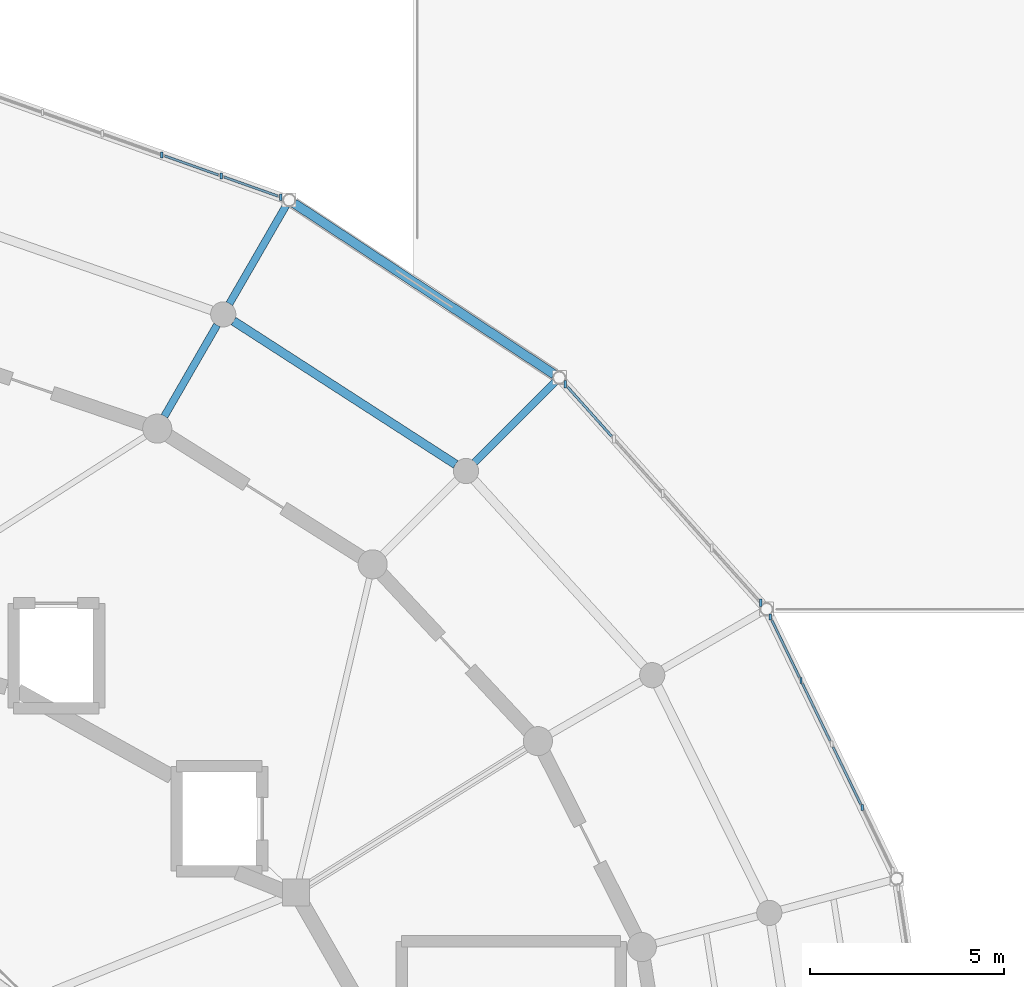
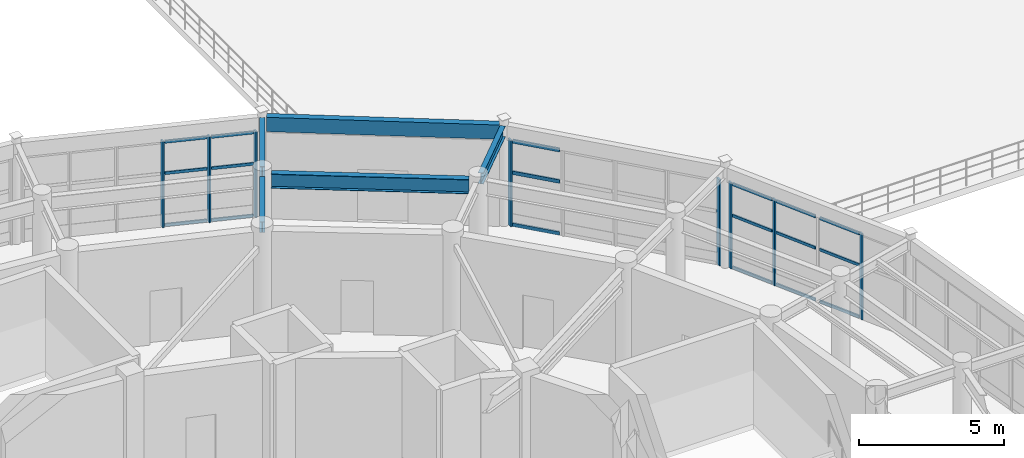
# One storey, part 29 of 60: 26 members, 5 beams, 3 elements without a shape of their own.
"""IFC4 building model written with IfcOpenShell, lengths in metres."""

from ifc_helpers import new_model, si_unit, direction, frame, origin, origin_2d, place, context, subcontext, project, spatial, rectangle, i_section, extrude, material, material_profile, profile_set, type_object, element, aggregate, save


model = new_model("IFC4")

# Units and contexts
model_context = context("Model", 3, precision=1e-05, world=origin(), true_north=direction((0.0, 1.0)))
body_context = subcontext(model_context, "Body", "Model", "MODEL_VIEW")
ifc_project = project(units=[si_unit("LENGTHUNIT", "METRE"), si_unit("AREAUNIT", "SQUARE_METRE"), si_unit("VOLUMEUNIT", "CUBIC_METRE"), si_unit("PLANEANGLEUNIT", "RADIAN"), si_unit("MASSUNIT", "GRAM", prefix="KILO")], contexts=[model_context])

# Site, building, storey
site_placement = place(None, origin())
site = spatial("IfcSite", under=ifc_project, at=site_placement, CompositionType="ELEMENT")
building_placement = place(site_placement, origin())
building = spatial("IfcBuilding", under=site, at=building_placement, Name="Cinderbank Siding Concert Hall", CompositionType="ELEMENT")
storey_placement = place(building_placement, frame((0.0, 0.0, 14.699951171875)))
storey = spatial("IfcBuildingStorey", under=building, at=storey_placement, Name="L04", CompositionType="ELEMENT", Elevation=14.699951171875)

# Beams
ifc_material_1 = material(Name="Structural steel AS/NZS 3679.1 Grade 350 (340 MPa)", Category="steel")
ifc_material_profile_1 = material_profile(ifc_material_1, i_section(OverallWidth=0.19091796875, OverallDepth=0.46044921875, WebThickness=0.010009765625, FlangeThickness=0.01611328125, at=origin_2d()), Name="460UB82.1", Category="LoadBearing")
ifc_profile_set_1 = profile_set([ifc_material_profile_1], Name="Structural steel AS/NZS 3679.1 Grade 350 (340 MPa)")
beam_type_1 = type_object("IfcBeamType", Name="BM-UB460H 460UB82.1", PredefinedType="BEAM", material=ifc_profile_set_1)
beam_1_placement = place(storey_placement, frame((135.58349609375, 63.370361328125, 4.03173828125), z_axis=(0.499987022033, 0.866032896488, 0.0), x_axis=(-0.866032896488, 0.499987022033, 0.0)))
element("IfcBeam", 1, at=beam_1_placement, inside=storey, type_object=beam_type_1, Name="L04 Beam BM-UB460H #716", PredefinedType="BEAM", context=body_context, shape_type="SweptSolid", body=[
    extrude(i_section(OverallWidth=0.19091796875, OverallDepth=0.46044921875, WebThickness=0.010009765625, FlangeThickness=0.01611328125, at=origin_2d()), origin(), (0.0, 0.0, 1.0), 2.7158203125),
])
for number, where, z_axis, x_axis, name in (
    (2, (143.578857421875, 62.184814453125, 4.001953125), (0.707106781187, 0.707106781187, 0.0), (-0.707106781187, 0.707106781187, 0.0), "L04 Beam BM-UB460H #738"),
    (3, (137.258544921875, 66.271484375, 4.001953125), (0.499958157915, 0.866049559976, 0.0), (-0.866049559976, 0.499958157915, 0.0), "L04 Beam BM-UB460H #739"),
):
    element("IfcBeam", number, at=place(storey_placement, frame(where, z_axis=z_axis, x_axis=x_axis)), inside=storey, type_object=beam_type_1, Name=name, PredefinedType="BEAM", context=body_context, shape_type="SweptSolid", body=[
        extrude(i_section(OverallWidth=0.19091796875, OverallDepth=0.46044921875, WebThickness=0.010009765625, FlangeThickness=0.01611328125, at=origin_2d()), origin(), (0.0, 0.0, 1.0), 2.928955078125),
    ])
ifc_material_profile_2 = material_profile(ifc_material_1, i_section(OverallWidth=0.22802734375, OverallDepth=0.60693359375, WebThickness=0.01123046875, FlangeThickness=0.017333984375, at=origin_2d()), Name="610UB113", Category="LoadBearing")
ifc_profile_set_2 = profile_set([ifc_material_profile_2], Name="Structural steel AS/NZS 3679.1 Grade 350 (340 MPa)")
beam_type_2 = type_object("IfcBeamType", Name="BM-UB610M 610UB113", PredefinedType="BEAM", material=ifc_profile_set_2)
beam_2_placement = place(storey_placement, frame((143.08837890625, 62.13232421875, 3.928466796875), z_axis=(-0.840219727246, 0.542246078775, 0.0), x_axis=(-0.542246078775, -0.840219727246, 0.0)))
element("IfcBeam", 4, at=beam_2_placement, inside=storey, type_object=beam_type_2, Name="L04 Beam BM-UB610M #655", PredefinedType="BEAM", context=body_context, shape_type="SweptSolid", body=[
    extrude(i_section(OverallWidth=0.22802734375, OverallDepth=0.60693359375, WebThickness=0.01123046875, FlangeThickness=0.017333984375, at=origin_2d()), origin(), (0.0, 0.0, 1.0), 6.810302734375),
])

# Curtain wall, members
ifc_material_2 = material(Name="Anodised aluminium alloy 6063-T6", Category="aluminium")
curtain_wall_type_1 = type_object("IfcCurtainWallType", Name="CW-02 Unitised Acoustic Curtain Wall 7800x4400", PredefinedType="NOTDEFINED", material=ifc_material_2)
curtain_wall_1_placement = place(storey_placement, origin())
curtain_wall_1 = element("IfcCurtainWall", 5, at=curtain_wall_1_placement, inside=storey, type_object=curtain_wall_type_1, Name="L04 Curtain Wall CW-02 #50", PredefinedType="NOTDEFINED")
ifc_material_profile_3 = material_profile(ifc_material_2, rectangle(XDim=0.06005859375, YDim=0.159912109375, at=origin_2d()), Name="ALU-MULL-60x160", Category="LoadBearing")
ifc_profile_set_3 = profile_set([ifc_material_profile_3], Name="Anodised aluminium alloy 6063-T6")
member_type_1 = type_object("IfcMemberType", Name="CW-ML1 Mullion 60x160", PredefinedType="MULLION", material=ifc_profile_set_3)
member_1_placement = place(storey_placement, frame((153.566650390625, 53.292724609375, 0.0), z_axis=(0.0, 0.0, 1.0), x_axis=(1.0, 0.0, 0.0)))
member_1 = element("IfcMember", 6, at=member_1_placement, type_object=member_type_1, Name="CW-L04-050 Mullion 1", PredefinedType="MULLION", context=body_context, shape_type="SweptSolid", body=[
    extrude(rectangle(XDim=0.06005859375, YDim=0.159912109375, at=origin_2d()), origin(), (0.0, 0.0, 1.0), 3.616943359375),
])
member_2_placement = place(storey_placement, frame((151.987060546875, 56.561279296875, 0.0), z_axis=(0.0, 0.0, 1.0), x_axis=(1.0, 0.0, 0.0)))
member_2 = element("IfcMember", 7, at=member_2_placement, type_object=member_type_1, Name="CW-L04-050 Mullion 3", PredefinedType="MULLION", context=body_context, shape_type="SweptSolid", body=[
    extrude(rectangle(XDim=0.06005859375, YDim=0.159912109375, at=origin_2d()), origin(), (0.0, 0.0, 1.0), 3.616943359375),
])
member_3_placement = place(storey_placement, frame((151.197265625, 58.19580078125, 0.0), z_axis=(0.0, 0.0, 1.0), x_axis=(1.0, 0.0, 0.0)))
member_3 = element("IfcMember", 8, at=member_3_placement, type_object=member_type_1, Name="CW-L04-050 Mullion 4", PredefinedType="MULLION", context=body_context, shape_type="SweptSolid", body=[
    extrude(rectangle(XDim=0.06005859375, YDim=0.159912109375, at=origin_2d()), origin(), (0.0, 0.0, 1.0), 3.616943359375),
])

curtain_wall_type_2 = type_object("IfcCurtainWallType", Name="CW-05 Unitised Acoustic Curtain Wall 8200x3800", PredefinedType="NOTDEFINED", material=ifc_material_2)
curtain_wall_2_placement = place(storey_placement, origin())
curtain_wall_2 = element("IfcCurtainWall", 9, at=curtain_wall_2_placement, inside=storey, type_object=curtain_wall_type_2, Name="L04 Curtain Wall CW-05 #52", PredefinedType="NOTDEFINED")
member_4_placement = place(storey_placement, frame((138.586181640625, 69.017333984375, 0.0), z_axis=(0.0, 0.0, 1.0), x_axis=(1.0, 0.0, 0.0)))
member_4 = element("IfcMember", 10, at=member_4_placement, type_object=member_type_1, Name="CW-L04-052 Mullion 0", PredefinedType="MULLION", context=body_context, shape_type="SweptSolid", body=[
    extrude(rectangle(XDim=0.06005859375, YDim=0.159912109375, at=origin_2d()), origin(), (0.0, 0.0, 1.0), 3.616943359375),
])
member_5_placement = place(storey_placement, frame((137.05078125, 69.5625, 0.0), z_axis=(0.0, 0.0, 1.0), x_axis=(1.0, 0.0, 0.0)))
member_5 = element("IfcMember", 11, at=member_5_placement, type_object=member_type_1, Name="CW-L04-052 Mullion 1", PredefinedType="MULLION", context=body_context, shape_type="SweptSolid", body=[
    extrude(rectangle(XDim=0.06005859375, YDim=0.159912109375, at=origin_2d()), origin(), (0.0, 0.0, 1.0), 3.616943359375),
])
member_6_placement = place(storey_placement, frame((135.515625, 70.107666015625, 0.0), z_axis=(0.0, 0.0, 1.0), x_axis=(1.0, 0.0, 0.0)))
member_6 = element("IfcMember", 12, at=member_6_placement, type_object=member_type_1, Name="CW-L04-052 Mullion 2", PredefinedType="MULLION", context=body_context, shape_type="SweptSolid", body=[
    extrude(rectangle(XDim=0.06005859375, YDim=0.159912109375, at=origin_2d()), origin(), (0.0, 0.0, 1.0), 3.616943359375),
])

curtain_wall_type_3 = type_object("IfcCurtainWallType", Name="CW-03 Unitised Acoustic Curtain Wall 7400x4400", PredefinedType="NOTDEFINED", material=ifc_material_2)
curtain_wall_3_placement = place(storey_placement, origin())
curtain_wall_3 = element("IfcCurtainWall", 13, at=curtain_wall_3_placement, inside=storey, type_object=curtain_wall_type_3, Name="L04 Curtain Wall CW-03 #51", PredefinedType="NOTDEFINED")
ifc_material_profile_4 = material_profile(ifc_material_2, rectangle(XDim=0.06494140625, YDim=0.199951171875, at=origin_2d()), Name="ALU-MULL-65x200", Category="LoadBearing")
ifc_profile_set_4 = profile_set([ifc_material_profile_4], Name="Anodised aluminium alloy 6063-T6")
member_type_2 = type_object("IfcMemberType", Name="CW-ML2 Mullion 65x200", PredefinedType="MULLION", material=ifc_profile_set_4)
member_7_placement = place(storey_placement, frame((150.947021484375, 58.569091796875, 0.0), z_axis=(0.0, 0.0, 1.0), x_axis=(1.0, 0.0, 0.0)))
member_7 = element("IfcMember", 14, at=member_7_placement, type_object=member_type_2, Name="CW-L04-051 Mullion 0", PredefinedType="MULLION", context=body_context, shape_type="SweptSolid", body=[
    extrude(rectangle(XDim=0.06494140625, YDim=0.199951171875, at=origin_2d()), origin(), (0.0, 0.0, 1.0), 3.616943359375),
])
member_8_placement = place(storey_placement, frame((145.91015625, 64.195556640625, 0.0), z_axis=(0.0, 0.0, 1.0), x_axis=(1.0, 0.0, 0.0)))
member_8 = element("IfcMember", 15, at=member_8_placement, type_object=member_type_2, Name="CW-L04-051 Mullion 4", PredefinedType="MULLION", context=body_context, shape_type="SweptSolid", body=[
    extrude(rectangle(XDim=0.06494140625, YDim=0.199951171875, at=origin_2d()), origin(), (0.0, 0.0, 1.0), 3.616943359375),
])

# Member
ifc_material_profile_5 = material_profile(ifc_material_2, rectangle(XDim=0.06005859375, YDim=0.1201171875, at=origin_2d()), Name="ALU-TRAN-60x120", Category="LoadBearing")
ifc_profile_set_5 = profile_set([ifc_material_profile_5], Name="Anodised aluminium alloy 6063-T6")
member_type_3 = type_object("IfcMemberType", Name="CW-TR1 Transom 60x120", PredefinedType="USERDEFINED", material=ifc_profile_set_5)
member_9_placement = place(storey_placement, frame((153.527099609375, 53.37451171875, 0.06005859375), z_axis=(-0.435095962233, 0.900384086737, 0.0), x_axis=(-0.900384086737, -0.435095962233, 0.0)))
member_9 = element("IfcMember", 16, at=member_9_placement, type_object=member_type_3, Name="CW-L04-050 Transom 1-0", ObjectType="TRANSOM", PredefinedType="USERDEFINED", context=body_context, shape_type="SweptSolid", body=[
    extrude(rectangle(XDim=0.06005859375, YDim=0.1201171875, at=origin_2d()), origin(), (0.0, 0.0, 1.0), 1.63330078125),
])

member_10_placement = place(storey_placement, frame((153.527099609375, 53.37451171875, 2.242431640625), z_axis=(-0.435095962233, 0.900384086737, 0.0), x_axis=(-0.900384086737, -0.435095962233, 0.0)))
member_10 = element("IfcMember", 17, at=member_10_placement, type_object=member_type_3, Name="CW-L04-050 Transom 1-1", ObjectType="TRANSOM", PredefinedType="USERDEFINED", context=body_context, shape_type="SweptSolid", body=[
    extrude(rectangle(XDim=0.06005859375, YDim=0.1201171875, at=origin_2d()), origin(), (0.0, 0.0, 1.0), 1.63330078125),
])

member_11_placement = place(storey_placement, frame((153.527099609375, 53.37451171875, 3.55712890625), z_axis=(-0.435095962233, 0.900384086737, 0.0), x_axis=(-0.900384086737, -0.435095962233, 0.0)))
member_11 = element("IfcMember", 18, at=member_11_placement, type_object=member_type_3, Name="CW-L04-050 Transom 1-2", ObjectType="TRANSOM", PredefinedType="USERDEFINED", context=body_context, shape_type="SweptSolid", body=[
    extrude(rectangle(XDim=0.06005859375, YDim=0.1201171875, at=origin_2d()), origin(), (0.0, 0.0, 1.0), 1.63330078125),
])

member_12_placement = place(storey_placement, frame((152.7373046875, 55.0087890625, 0.06005859375), z_axis=(-0.435095962233, 0.900384086737, 0.0), x_axis=(-0.900384086737, -0.435095962233, 0.0)))
member_12 = element("IfcMember", 19, at=member_12_placement, type_object=member_type_3, Name="CW-L04-050 Transom 2-0", ObjectType="TRANSOM", PredefinedType="USERDEFINED", context=body_context, shape_type="SweptSolid", body=[
    extrude(rectangle(XDim=0.06005859375, YDim=0.1201171875, at=origin_2d()), origin(), (0.0, 0.0, 1.0), 1.63330078125),
])

member_13_placement = place(storey_placement, frame((152.7373046875, 55.0087890625, 2.242431640625), z_axis=(-0.435095962233, 0.900384086737, 0.0), x_axis=(-0.900384086737, -0.435095962233, 0.0)))
member_13 = element("IfcMember", 20, at=member_13_placement, type_object=member_type_3, Name="CW-L04-050 Transom 2-1", ObjectType="TRANSOM", PredefinedType="USERDEFINED", context=body_context, shape_type="SweptSolid", body=[
    extrude(rectangle(XDim=0.06005859375, YDim=0.1201171875, at=origin_2d()), origin(), (0.0, 0.0, 1.0), 1.63330078125),
])

member_14_placement = place(storey_placement, frame((152.7373046875, 55.0087890625, 3.55712890625), z_axis=(-0.435095962233, 0.900384086737, 0.0), x_axis=(-0.900384086737, -0.435095962233, 0.0)))
member_14 = element("IfcMember", 21, at=member_14_placement, type_object=member_type_3, Name="CW-L04-050 Transom 2-2", ObjectType="TRANSOM", PredefinedType="USERDEFINED", context=body_context, shape_type="SweptSolid", body=[
    extrude(rectangle(XDim=0.06005859375, YDim=0.1201171875, at=origin_2d()), origin(), (0.0, 0.0, 1.0), 1.63330078125),
])

member_15_placement = place(storey_placement, frame((151.947509765625, 56.64306640625, 0.06005859375), z_axis=(-0.435037415308, 0.900412376238, 0.0), x_axis=(-0.900412376238, -0.435037415308, 0.0)))
member_15 = element("IfcMember", 22, at=member_15_placement, type_object=member_type_3, Name="CW-L04-050 Transom 3-0", ObjectType="TRANSOM", PredefinedType="USERDEFINED", context=body_context, shape_type="SweptSolid", body=[
    extrude(rectangle(XDim=0.06005859375, YDim=0.1201171875, at=origin_2d()), origin(), (0.0, 0.0, 1.0), 1.633544921875),
])

member_16_placement = place(storey_placement, frame((151.947509765625, 56.64306640625, 2.242431640625), z_axis=(-0.435037415308, 0.900412376238, 0.0), x_axis=(-0.900412376238, -0.435037415308, 0.0)))
member_16 = element("IfcMember", 23, at=member_16_placement, type_object=member_type_3, Name="CW-L04-050 Transom 3-1", ObjectType="TRANSOM", PredefinedType="USERDEFINED", context=body_context, shape_type="SweptSolid", body=[
    extrude(rectangle(XDim=0.06005859375, YDim=0.1201171875, at=origin_2d()), origin(), (0.0, 0.0, 1.0), 1.633544921875),
])

member_17_placement = place(storey_placement, frame((151.947509765625, 56.64306640625, 3.55712890625), z_axis=(-0.435037415308, 0.900412376238, 0.0), x_axis=(-0.900412376238, -0.435037415308, 0.0)))
member_17 = element("IfcMember", 24, at=member_17_placement, type_object=member_type_3, Name="CW-L04-050 Transom 3-2", ObjectType="TRANSOM", PredefinedType="USERDEFINED", context=body_context, shape_type="SweptSolid", body=[
    extrude(rectangle(XDim=0.06005859375, YDim=0.1201171875, at=origin_2d()), origin(), (0.0, 0.0, 1.0), 1.633544921875),
])

aggregate(curtain_wall_1, [member_1, member_2, member_3, member_9, member_10, member_11, member_12, member_13, member_14, member_15, member_16, member_17])

member_18_placement = place(storey_placement, frame((138.509521484375, 69.044677734375, 0.06005859375), z_axis=(-0.942395579657, 0.334500480482, 0.0), x_axis=(-0.334500480482, -0.942395579657, 0.0)))
member_18 = element("IfcMember", 25, at=member_18_placement, type_object=member_type_3, Name="CW-L04-052 Transom 0-0", ObjectType="TRANSOM", PredefinedType="USERDEFINED", context=body_context, shape_type="SweptSolid", body=[
    extrude(rectangle(XDim=0.06005859375, YDim=0.1201171875, at=origin_2d()), origin(), (0.0, 0.0, 1.0), 1.46630859375),
])

member_19_placement = place(storey_placement, frame((138.509521484375, 69.044677734375, 2.242431640625), z_axis=(-0.942395579657, 0.334500480482, 0.0), x_axis=(-0.334500480482, -0.942395579657, 0.0)))
member_19 = element("IfcMember", 26, at=member_19_placement, type_object=member_type_3, Name="CW-L04-052 Transom 0-1", ObjectType="TRANSOM", PredefinedType="USERDEFINED", context=body_context, shape_type="SweptSolid", body=[
    extrude(rectangle(XDim=0.06005859375, YDim=0.1201171875, at=origin_2d()), origin(), (0.0, 0.0, 1.0), 1.46630859375),
])

member_20_placement = place(storey_placement, frame((138.509521484375, 69.044677734375, 3.55712890625), z_axis=(-0.942395579657, 0.334500480482, 0.0), x_axis=(-0.334500480482, -0.942395579657, 0.0)))
member_20 = element("IfcMember", 27, at=member_20_placement, type_object=member_type_3, Name="CW-L04-052 Transom 0-2", ObjectType="TRANSOM", PredefinedType="USERDEFINED", context=body_context, shape_type="SweptSolid", body=[
    extrude(rectangle(XDim=0.06005859375, YDim=0.1201171875, at=origin_2d()), origin(), (0.0, 0.0, 1.0), 1.46630859375),
])

member_21_placement = place(storey_placement, frame((136.97412109375, 69.58984375, 0.06005859375), z_axis=(-0.942376945381, 0.334552974602, 0.0), x_axis=(-0.334552974602, -0.942376945381, 0.0)))
member_21 = element("IfcMember", 28, at=member_21_placement, type_object=member_type_3, Name="CW-L04-052 Transom 1-0", ObjectType="TRANSOM", PredefinedType="USERDEFINED", context=body_context, shape_type="SweptSolid", body=[
    extrude(rectangle(XDim=0.06005859375, YDim=0.1201171875, at=origin_2d()), origin(), (0.0, 0.0, 1.0), 1.466064453125),
])

member_22_placement = place(storey_placement, frame((136.97412109375, 69.58984375, 2.242431640625), z_axis=(-0.942376945381, 0.334552974602, 0.0), x_axis=(-0.334552974602, -0.942376945381, 0.0)))
member_22 = element("IfcMember", 29, at=member_22_placement, type_object=member_type_3, Name="CW-L04-052 Transom 1-1", ObjectType="TRANSOM", PredefinedType="USERDEFINED", context=body_context, shape_type="SweptSolid", body=[
    extrude(rectangle(XDim=0.06005859375, YDim=0.1201171875, at=origin_2d()), origin(), (0.0, 0.0, 1.0), 1.466064453125),
])

member_23_placement = place(storey_placement, frame((136.97412109375, 69.58984375, 3.55712890625), z_axis=(-0.942376945381, 0.334552974602, 0.0), x_axis=(-0.334552974602, -0.942376945381, 0.0)))
member_23 = element("IfcMember", 30, at=member_23_placement, type_object=member_type_3, Name="CW-L04-052 Transom 1-2", ObjectType="TRANSOM", PredefinedType="USERDEFINED", context=body_context, shape_type="SweptSolid", body=[
    extrude(rectangle(XDim=0.06005859375, YDim=0.1201171875, at=origin_2d()), origin(), (0.0, 0.0, 1.0), 1.466064453125),
])

aggregate(curtain_wall_2, [member_4, member_5, member_6, member_18, member_19, member_20, member_21, member_22, member_23])

ifc_material_profile_6 = material_profile(ifc_material_2, rectangle(XDim=0.06494140625, YDim=0.14990234375, at=origin_2d()), Name="ALU-TRAN-65x150", Category="LoadBearing")
ifc_profile_set_6 = profile_set([ifc_material_profile_6], Name="Anodised aluminium alloy 6063-T6")
member_type_4 = type_object("IfcMemberType", Name="CW-TR2 Transom 65x150", PredefinedType="USERDEFINED", material=ifc_profile_set_6)
member_24_placement = place(storey_placement, frame((147.1064453125, 62.859375, 0.06005859375), z_axis=(-0.667017441515, 0.745042101304, 0.0), x_axis=(-0.745042101304, -0.667017441515, 0.0)))
member_24 = element("IfcMember", 31, at=member_24_placement, type_object=member_type_4, Name="CW-L04-051 Transom 3-0", ObjectType="TRANSOM", PredefinedType="USERDEFINED", context=body_context, shape_type="SweptSolid", body=[
    extrude(rectangle(XDim=0.06494140625, YDim=0.14990234375, at=origin_2d()), origin(), (0.0, 0.0, 1.0), 1.698974609375),
])

member_25_placement = place(storey_placement, frame((147.1064453125, 62.859375, 2.242431640625), z_axis=(-0.667017441515, 0.745042101304, 0.0), x_axis=(-0.745042101304, -0.667017441515, 0.0)))
member_25 = element("IfcMember", 32, at=member_25_placement, type_object=member_type_4, Name="CW-L04-051 Transom 3-1", ObjectType="TRANSOM", PredefinedType="USERDEFINED", context=body_context, shape_type="SweptSolid", body=[
    extrude(rectangle(XDim=0.06494140625, YDim=0.14990234375, at=origin_2d()), origin(), (0.0, 0.0, 1.0), 1.698974609375),
])

member_26_placement = place(storey_placement, frame((147.1064453125, 62.859375, 3.55712890625), z_axis=(-0.667017441515, 0.745042101304, 0.0), x_axis=(-0.745042101304, -0.667017441515, 0.0)))
member_26 = element("IfcMember", 33, at=member_26_placement, type_object=member_type_4, Name="CW-L04-051 Transom 3-2", ObjectType="TRANSOM", PredefinedType="USERDEFINED", context=body_context, shape_type="SweptSolid", body=[
    extrude(rectangle(XDim=0.06494140625, YDim=0.14990234375, at=origin_2d()), origin(), (0.0, 0.0, 1.0), 1.698974609375),
])

aggregate(curtain_wall_3, [member_7, member_8, member_24, member_25, member_26])

# Beam
ifc_material_3 = material(Name="Spotted gum glulam timber GL18 (42 MPa)", Category="wood")
ifc_material_profile_7 = material_profile(ifc_material_3, rectangle(XDim=0.239990234375, YDim=0.60009765625, at=origin_2d()), Name="GL18-240x600", Category="LoadBearing")
ifc_profile_set_7 = profile_set([ifc_material_profile_7], Name="Spotted gum glulam timber GL18 (42 MPa)")
beam_type_3 = type_object("IfcBeamType", Name="SP-GL600 GL18-240x600", PredefinedType="SPANDREL", material=ifc_profile_set_7)
beam_3_placement = place(storey_placement, frame((145.630126953125, 64.44921875, 3.93212890625), z_axis=(-0.835480702777, 0.549519786074, 0.0), x_axis=(-0.549519786074, -0.835480702777, 0.0)))
element("IfcBeam", 34, at=beam_3_placement, inside=storey, type_object=beam_type_3, Name="L04 Beam SP-GL600 #679", PredefinedType="SPANDREL", context=body_context, shape_type="SweptSolid", body=[
    extrude(rectangle(XDim=0.239990234375, YDim=0.60009765625, at=origin_2d()), origin(), (0.0, 0.0, 1.0), 8.02099609375),
])

save(model, "model.ifc")
